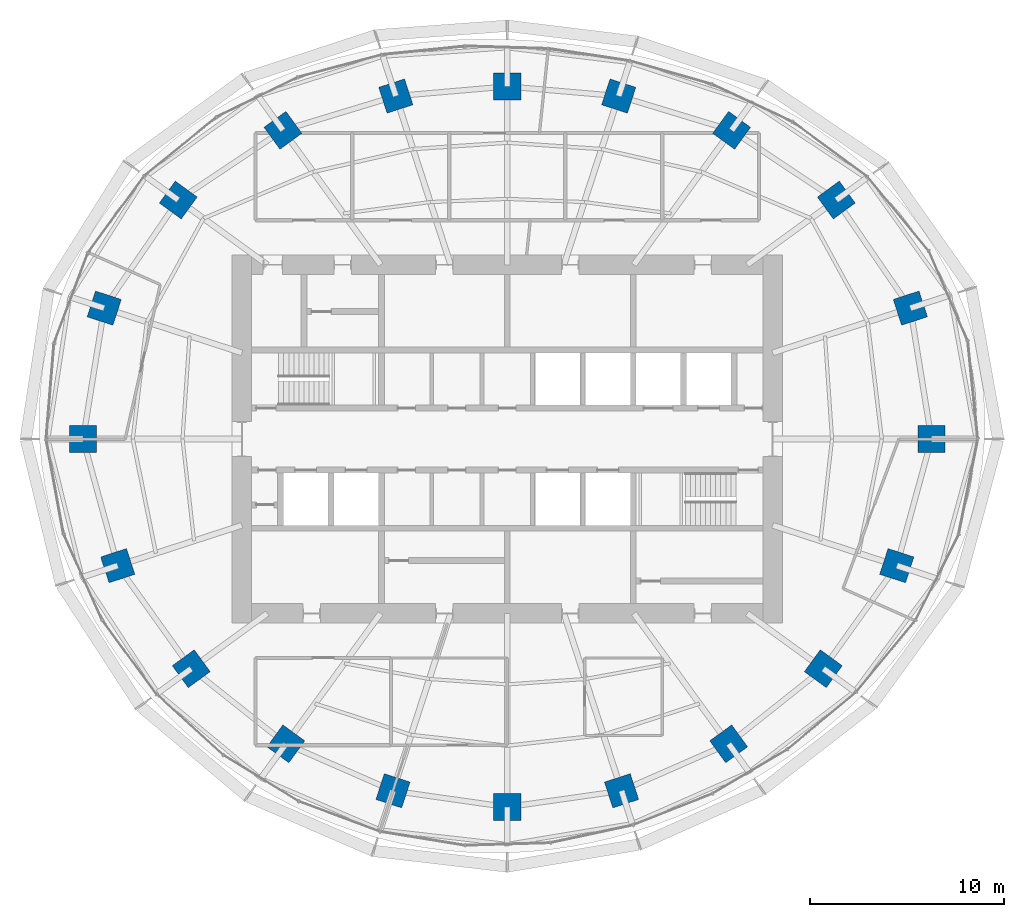
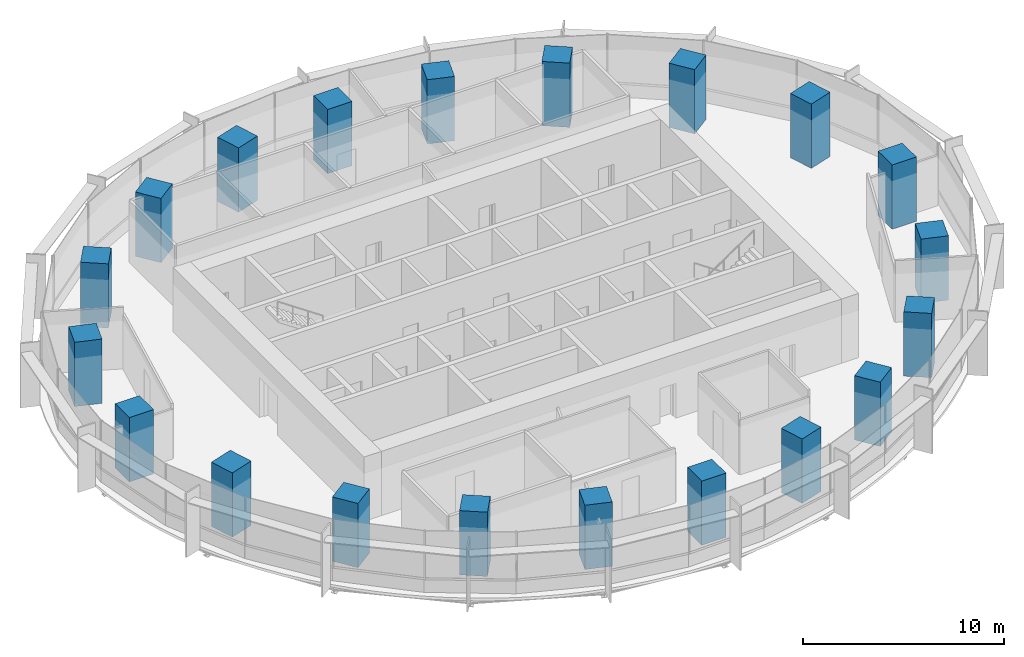
# One storey, part 1 of 14: 20 columns.
"""IFC4 building model written with IfcOpenShell, lengths in metres."""

from ifc_helpers import new_model, si_unit, direction, frame, origin, origin_2d, place, context, subcontext, project, spatial, rectangle, extrude, material, material_profile, profile_set, type_object, element, save


model = new_model("IFC4")

# Units and contexts
model_context = context("Model", 3, precision=1e-05, world=origin(), true_north=direction((0.0, 1.0)))
body_context = subcontext(model_context, "Body", "Model", "MODEL_VIEW")
ifc_project = project(units=[si_unit("LENGTHUNIT", "METRE"), si_unit("AREAUNIT", "SQUARE_METRE"), si_unit("VOLUMEUNIT", "CUBIC_METRE"), si_unit("PLANEANGLEUNIT", "RADIAN"), si_unit("MASSUNIT", "GRAM", prefix="KILO")], contexts=[model_context])

# Site, building, storey
site_placement = place(None, origin())
site = spatial("IfcSite", under=ifc_project, at=site_placement, CompositionType="ELEMENT")
building_placement = place(site_placement, origin())
building = spatial("IfcBuilding", under=site, at=building_placement, Name="Marramba Exchange Tower", CompositionType="ELEMENT")
storey_placement = place(building_placement, frame((0.0, 0.0, 234.5)))
storey = spatial("IfcBuildingStorey", under=building, at=storey_placement, Name="L57", CompositionType="ELEMENT", Elevation=234.5)

# Columns
ifc_material = material(Name="Concrete N50", Category="concrete")
ifc_material_profile = material_profile(ifc_material, rectangle(XDim=1.39990234375, YDim=1.39990234375, at=origin_2d()), Name="RC 1400x1400")
ifc_profile_set = profile_set([ifc_material_profile], Name="Concrete N50")
column_type = type_object("IfcColumnType", Name="Perimeter column RC 1400x1400 N50", PredefinedType="COLUMN", material=ifc_profile_set)
for number, where, z_axis, x_axis, name in (
    (1, (21.89990234375, 0.0, 0.0), (0.0, 0.0, 1.0), (1.0, 0.0, 0.0), "Column TC01 L57"),
    (2, (20.808349609375, 6.760986328125, 0.0), (0.0, 0.0, 1.0), (0.951056516295, 0.309016994375, 0.0), "Column TC02 L57"),
    (3, (16.98583984375, 12.3408203125, 0.0), (0.0, 0.0, 1.0), (0.809016994375, 0.587785252292, 0.0), "Column TC03 L57"),
    (4, (11.581298828125, 15.9404296875, 0.0), (0.0, 0.0, 1.0), (0.587785252292, 0.809016994375, 0.0), "Column TC04 L57"),
    (5, (5.75390625, 17.70849609375, 0.0), (0.0, 0.0, 1.0), (0.309016994375, 0.951056516295, 0.0), "Column TC05 L57"),
    (6, (0.0, 18.2041015625, 0.0), (0.0, 0.0, 1.0), (0.0, 1.0, 0.0), "Column TC06 L57"),
    (7, (-5.75390625, 17.70849609375, 0.0), (0.0, 0.0, 1.0), (-0.309016994375, 0.951056516295, 0.0), "Column TC07 L57"),
    (8, (-11.581298828125, 15.9404296875, 0.0), (0.0, 0.0, 1.0), (-0.587785252292, 0.809016994375, 0.0), "Column TC08 L57"),
    (9, (-16.98583984375, 12.3408203125, 0.0), (0.0, 0.0, 1.0), (-0.809016994375, 0.587785252292, 0.0), "Column TC09 L57"),
    (10, (-20.808349609375, 6.760986328125, 0.0), (0.0, 0.0, 1.0), (-0.951056516295, 0.309016994375, 0.0), "Column TC10 L57"),
    (11, (-21.89990234375, 0.0, 0.0), (0.0, 0.0, 1.0), (-1.0, 0.0, 0.0), "Column TC11 L57"),
    (12, (-20.109375, -6.533935546875, 0.0), (0.0, 0.0, 1.0), (-0.951056516295, -0.309016994375, 0.0), "Column TC12 L57"),
    (13, (-16.3154296875, -11.853759765625, 0.0), (0.0, 0.0, 1.0), (-0.809016994375, -0.587785252292, 0.0), "Column TC13 L57"),
    (14, (-11.430419921875, -15.732666015625, 0.0), (0.0, 0.0, 1.0), (-0.587785252292, -0.809016994375, 0.0), "Column TC14 L57"),
    (15, (-5.899658203125, -18.156982421875, 0.0), (0.0, 0.0, 1.0), (-0.309016994375, -0.951056516295, 0.0), "Column TC15 L57"),
    (16, (0.0, -18.99609375, 0.0), (0.0, 0.0, 1.0), (0.0, -1.0, 0.0), "Column TC16 L57"),
    (17, (5.899658203125, -18.156982421875, 0.0), (0.0, 0.0, 1.0), (0.309016994375, -0.951056516295, 0.0), "Column TC17 L57"),
    (18, (11.430419921875, -15.732666015625, 0.0), (0.0, 0.0, 1.0), (0.587785252292, -0.809016994375, 0.0), "Column TC18 L57"),
    (19, (16.3154296875, -11.853759765625, 0.0), (0.0, 0.0, 1.0), (0.809016994375, -0.587785252292, 0.0), "Column TC19 L57"),
    (20, (20.109375, -6.533935546875, 0.0), (0.0, 0.0, 1.0), (0.951056516295, -0.309016994375, 0.0), "Column TC20 L57"),
):
    element("IfcColumn", number, at=place(storey_placement, frame(where, z_axis=z_axis, x_axis=x_axis)), inside=storey, type_object=column_type, Name=name, PredefinedType="COLUMN", context=body_context, shape_type="SweptSolid", body=[
        extrude(rectangle(XDim=1.39990234375, YDim=1.39990234375, at=origin_2d()), origin(), (0.0, 0.0, 1.0), 3.89990234375),
    ])

save(model, "model.ifc")
